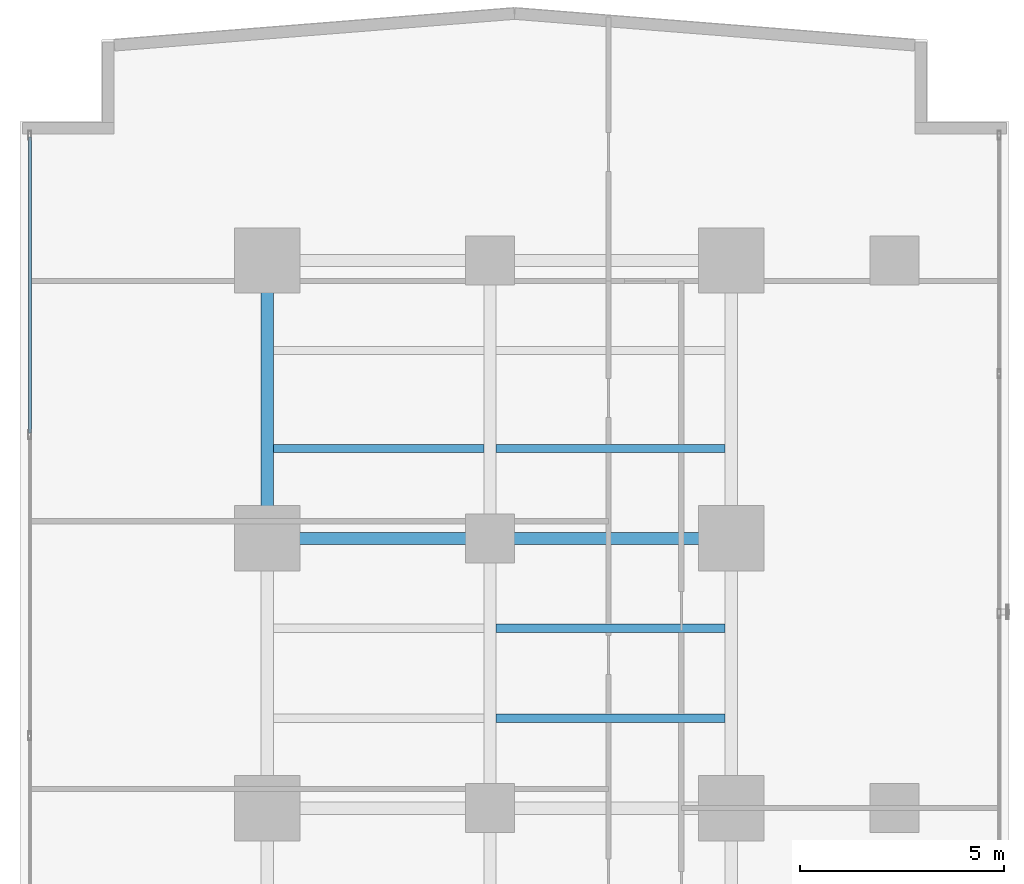
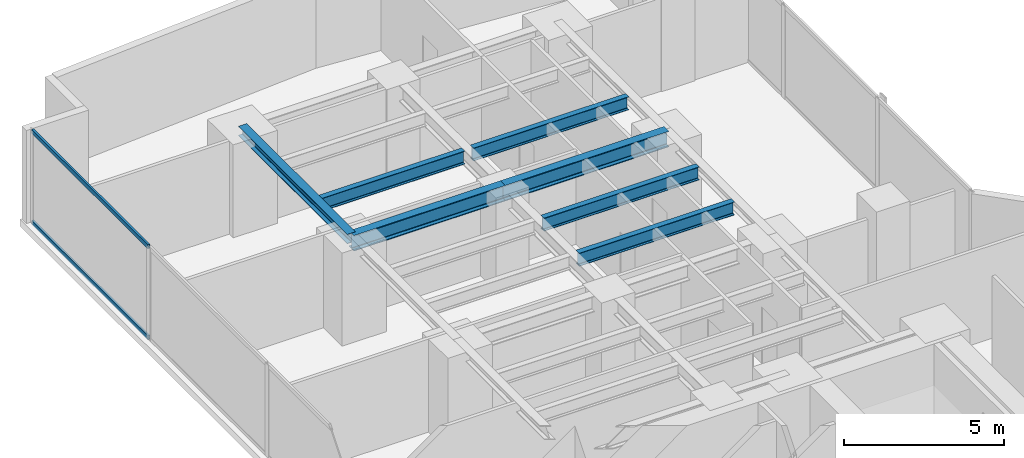
# One storey, part 16 of 28: 7 beams, 2 members, 1 element without a shape of its own.
"""IFC4 building model written with IfcOpenShell, lengths in metres."""

from ifc_helpers import new_model, si_unit, direction, frame, origin, origin_with_axes, origin_2d, place, context, subcontext, project, spatial, hollow_rectangle, i_section, extrude, source, transform, mapped, material, layer, layer_set, material_profile, profile_set, type_object, element, aggregate, save


model = new_model("IFC4")

# Units and contexts
model_context = context("Model", 3, precision=1e-05, world=origin(), true_north=direction((0.0, 1.0)))
body_context = subcontext(model_context, "Body", "Model", "MODEL_VIEW")
ifc_project = project(units=[si_unit("LENGTHUNIT", "METRE"), si_unit("AREAUNIT", "SQUARE_METRE"), si_unit("VOLUMEUNIT", "CUBIC_METRE"), si_unit("PLANEANGLEUNIT", "RADIAN"), si_unit("MASSUNIT", "GRAM", prefix="KILO")], contexts=[model_context])

# Site, building, storey
site_placement = place(None, origin())
site = spatial("IfcSite", under=ifc_project, at=site_placement, CompositionType="ELEMENT")
building_placement = place(site_placement, origin())
building = spatial("IfcBuilding", under=site, at=building_placement, Name="Kolvaren Waterfront Exchange", CompositionType="ELEMENT")
storey_placement = place(building_placement, frame((0.0, 0.0, 56.199951171875)))
storey = spatial("IfcBuildingStorey", under=building, at=storey_placement, Name="L14", CompositionType="ELEMENT", Elevation=56.199951171875)

# Beams
ifc_material_1 = material(Name="Steel S355", Category="steel")
ifc_material_profile_1 = material_profile(ifc_material_1, i_section(OverallWidth=0.300048828125, OverallDepth=0.360107421875, WebThickness=0.012451171875, FlangeThickness=0.0224609375, FilletRadius=0.027099609375, at=origin_2d()), Name="HEB360")
ifc_profile_set_1 = profile_set([ifc_material_profile_1], Name="Steel S355")
beam_type_1 = type_object("IfcBeamType", Name="STR-BM-HEB360", PredefinedType="SPANDREL", material=ifc_profile_set_1)
beam_1_placement = place(storey_placement, frame((7.449951171875, 37.800048828125, 3.360107421875), z_axis=(0.0, 1.0, 0.0), x_axis=(-1.0, 0.0, 0.0)))
element("IfcBeam", 1, at=beam_1_placement, inside=storey, type_object=beam_type_1, Name="L14 north-arm edge beam 3", PredefinedType="SPANDREL", context=body_context, shape_type="SweptSolid", body=[
    extrude(i_section(OverallWidth=0.300048828125, OverallDepth=0.360107421875, WebThickness=0.012451171875, FlangeThickness=0.0224609375, FilletRadius=0.027099609375, at=origin_2d()), origin(), (0.0, 0.0, 1.0), 6.800048828125),
])
ifc_material_profile_2 = material_profile(ifc_material_1, i_section(OverallWidth=0.300048828125, OverallDepth=0.60009765625, WebThickness=0.015380859375, FlangeThickness=0.030029296875, FilletRadius=0.027099609375, at=origin_2d()), Name="HEB600")
ifc_profile_set_2 = profile_set([ifc_material_profile_2], Name="Steel S355")
beam_type_2 = type_object("IfcBeamType", Name="STR-BM-HEB600", PredefinedType="BEAM", material=ifc_profile_set_2)
beam_2_placement = place(storey_placement, frame((7.449951171875, 37.800048828125, 3.239990234375), z_axis=(1.0, 0.0, 0.0), x_axis=(0.0, 1.0, 0.0)))
element("IfcBeam", 2, at=beam_2_placement, inside=storey, type_object=beam_type_2, Name="L14 north-arm girder 3A", PredefinedType="BEAM", context=body_context, shape_type="SweptSolid", body=[
    extrude(i_section(OverallWidth=0.300048828125, OverallDepth=0.60009765625, WebThickness=0.015380859375, FlangeThickness=0.030029296875, FilletRadius=0.027099609375, at=origin_2d()), origin(), (0.0, 0.0, 1.0), 5.449951171875),
])
beam_3_placement = place(storey_placement, frame((12.89990234375, 37.800048828125, 3.239990234375), z_axis=(1.0, 0.0, 0.0), x_axis=(0.0, 1.0, 0.0)))
element("IfcBeam", 3, at=beam_3_placement, inside=storey, type_object=beam_type_2, Name="L14 north-arm girder 3B", PredefinedType="BEAM", context=body_context, shape_type="SweptSolid", body=[
    extrude(i_section(OverallWidth=0.300048828125, OverallDepth=0.60009765625, WebThickness=0.015380859375, FlangeThickness=0.030029296875, FilletRadius=0.027099609375, at=origin_2d()), origin(), (0.0, 0.0, 1.0), 5.900146484375),
])
ifc_material_profile_3 = material_profile(ifc_material_1, i_section(OverallWidth=0.199951171875, OverallDepth=0.5, WebThickness=0.01025390625, FlangeThickness=0.01611328125, FilletRadius=0.02099609375, at=origin_2d()), Name="IPE500")
ifc_profile_set_3 = profile_set([ifc_material_profile_3], Name="Steel S355")
beam_type_3 = type_object("IfcBeamType", Name="STR-BM-IPE500", PredefinedType="JOIST", material=ifc_profile_set_3)
for number, where, z_axis, x_axis, name in (
    (4, (13.052001953125, 33.39990234375, 3.2900390625), (1.0, 0.0, 0.0), (0.0, 1.0, 0.0), "L14 north-arm composite joist 3B"),
    (5, (13.052001953125, 35.60009765625, 3.2900390625), (1.0, 0.0, 0.0), (0.0, 1.0, 0.0), "L14 north-arm composite joist 4B"),
):
    element("IfcBeam", number, at=place(storey_placement, frame(where, z_axis=z_axis, x_axis=x_axis)), inside=storey, type_object=beam_type_3, Name=name, PredefinedType="JOIST", context=body_context, shape_type="SweptSolid", body=[
        extrude(i_section(OverallWidth=0.199951171875, OverallDepth=0.5, WebThickness=0.01025390625, FlangeThickness=0.01611328125, FilletRadius=0.02099609375, at=origin_2d()), origin(), (0.0, 0.0, 1.0), 5.595947265625),
    ])
beam_4_placement = place(storey_placement, frame((7.60205078125, 40.0, 3.2900390625), z_axis=(1.0, 0.0, 0.0), x_axis=(0.0, 1.0, 0.0)))
element("IfcBeam", 6, at=beam_4_placement, inside=storey, type_object=beam_type_3, Name="L14 north-arm composite joist 5A", PredefinedType="JOIST", context=body_context, shape_type="SweptSolid", body=[
    extrude(i_section(OverallWidth=0.199951171875, OverallDepth=0.5, WebThickness=0.01025390625, FlangeThickness=0.01611328125, FilletRadius=0.02099609375, at=origin_2d()), origin(), (0.0, 0.0, 1.0), 5.14599609375),
])
beam_5_placement = place(storey_placement, frame((13.052001953125, 40.0, 3.2900390625), z_axis=(1.0, 0.0, 0.0), x_axis=(0.0, 1.0, 0.0)))
element("IfcBeam", 7, at=beam_5_placement, inside=storey, type_object=beam_type_3, Name="L14 north-arm composite joist 5B", PredefinedType="JOIST", context=body_context, shape_type="SweptSolid", body=[
    extrude(i_section(OverallWidth=0.199951171875, OverallDepth=0.5, WebThickness=0.01025390625, FlangeThickness=0.01611328125, FilletRadius=0.02099609375, at=origin_2d()), origin(), (0.0, 0.0, 1.0), 5.595947265625),
])

# Curtain wall, members
ifc_material_2 = material(Name="Anodised aluminium 6063-T6", Category="aluminium")
ifc_layer = layer(ifc_material_2, 0.219970703125, Name="Anodised aluminium 6063-T6")
ifc_layer_set = layer_set([ifc_layer], Name="Anodised aluminium 6063-T6")
curtain_wall_type = type_object("IfcCurtainWallType", Name="ARC-CW-SYS2", PredefinedType="USERDEFINED", material=ifc_layer_set)
curtain_wall_placement = place(storey_placement, origin())
curtain_wall = element("IfcCurtainWall", 8, at=curtain_wall_placement, inside=storey, type_object=curtain_wall_type, Name="L14 stick curtain wall CW2 (CW-L14-W)", ObjectType="STICK CURTAIN WALL", PredefinedType="USERDEFINED")
ifc_material_profile_4 = material_profile(ifc_material_2, hollow_rectangle(XDim=0.074951171875, YDim=0.159912109375, WallThickness=0.00439453125, at=origin_2d()), Name="ALU-TRN-160x75x4.5")
ifc_profile_set_4 = profile_set([ifc_material_profile_4], Name="Anodised aluminium 6063-T6")
member_type = type_object("IfcMemberType", Name="ARC-CWT-160", PredefinedType="USERDEFINED", material=ifc_profile_set_4)
shared_shape = source(origin_with_axes(), body_context, "Body", "SweptSolid", [
    extrude(hollow_rectangle(XDim=0.074951171875, YDim=0.159912109375, WallThickness=0.00439453125, at=origin_2d()), origin(), (0.0, 0.0, 1.0), 7.246826171875),
])
member_1_placement = place(storey_placement, frame((1.639892578125, 40.373291015625, 0.03759765625), z_axis=(0.0, 1.0, 0.0), x_axis=(-1.0, 0.0, 0.0)))
member_1 = element("IfcMember", 9, at=member_1_placement, type_object=member_type, Name="CW2 transom 6.1", ObjectType="TRANSOM", PredefinedType="USERDEFINED", context=body_context, shape_type="MappedRepresentation", body=[
    mapped(shared_shape, transform((0.0, 0.0, 0.0), x_axis=(1.0, 0.0, 0.0), y_axis=(0.0, 1.0, 0.0), z_axis=(0.0, 0.0, 1.0), scale=1.0)),
])
member_2_placement = place(storey_placement, frame((1.639892578125, 40.373291015625, 3.50244140625), z_axis=(0.0, 1.0, 0.0), x_axis=(-1.0, 0.0, 0.0)))
member_2 = element("IfcMember", 10, at=member_2_placement, type_object=member_type, Name="CW2 transom 6.2", ObjectType="TRANSOM", PredefinedType="USERDEFINED", context=body_context, shape_type="MappedRepresentation", body=[
    mapped(shared_shape, transform((0.0, 0.0, 0.0), x_axis=(1.0, 0.0, 0.0), y_axis=(0.0, 1.0, 0.0), z_axis=(0.0, 0.0, 1.0), scale=1.0)),
])
aggregate(curtain_wall, [member_1, member_2])

save(model, "model.ifc")
